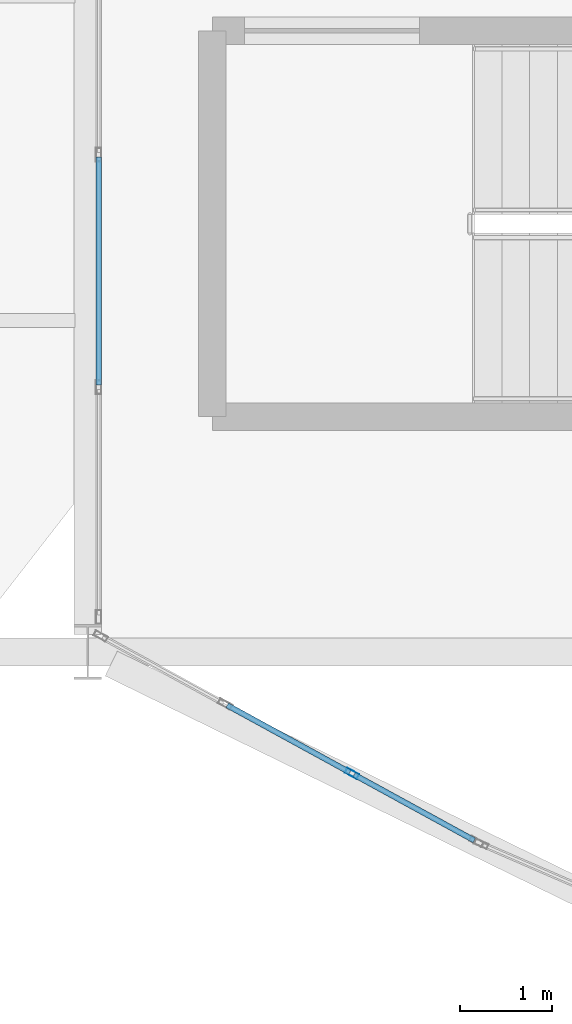
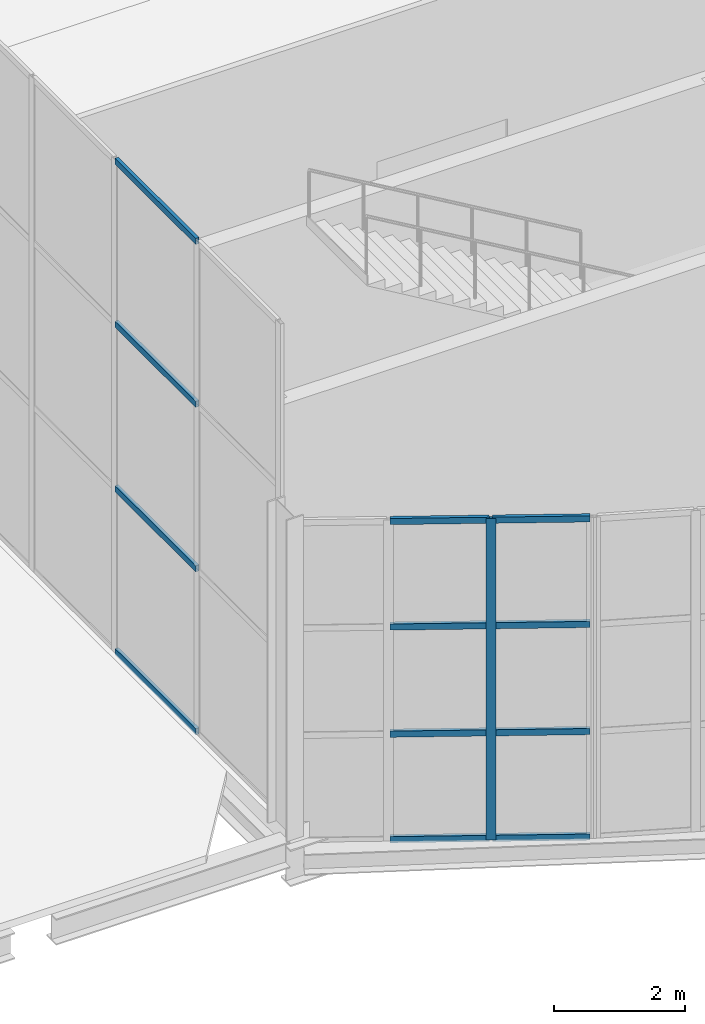
# One storey, part 25 of 191: 13 members, 2 elements without a shape of their own.
"""IFC4 building model written with IfcOpenShell, lengths in metres."""

from ifc_helpers import new_model, si_unit, direction, frame, origin, origin_2d, place, context, subcontext, project, spatial, hollow_rectangle, extrude, material, layer, layer_set, material_profile, profile_set, type_object, element, aggregate, save


model = new_model("IFC4")

# Units and contexts
model_context = context("Model", 3, precision=1e-05, world=origin(), true_north=direction((0.0, 1.0)))
body_context = subcontext(model_context, "Body", "Model", "MODEL_VIEW")
ifc_project = project(units=[si_unit("LENGTHUNIT", "METRE"), si_unit("AREAUNIT", "SQUARE_METRE"), si_unit("VOLUMEUNIT", "CUBIC_METRE"), si_unit("PLANEANGLEUNIT", "RADIAN"), si_unit("MASSUNIT", "GRAM", prefix="KILO")], contexts=[model_context])

# Site, building, storey
site_placement = place(None, origin())
site = spatial("IfcSite", under=ifc_project, at=site_placement, CompositionType="ELEMENT")
building_placement = place(site_placement, origin())
building = spatial("IfcBuilding", under=site, at=building_placement, Name="Tamarisk Ironworks Central Station", CompositionType="ELEMENT")
storey_placement = place(building_placement, frame((0.0, 0.0, 6.60009765625)))
storey = spatial("IfcBuildingStorey", under=building, at=storey_placement, Name="L01", CompositionType="ELEMENT", Elevation=6.60009765625)

# Curtain wall, members
ifc_material = material(Name="Anodized aluminium alloy 6063-T6", Category="aluminium")
ifc_layer_1 = layer(ifc_material, 0.179931640625)
ifc_layer_set_1 = layer_set([ifc_layer_1], Name="Anodized aluminium alloy 6063-T6")
curtain_wall_type_1 = type_object("IfcCurtainWallType", Name="CW-02", PredefinedType="USERDEFINED", material=ifc_layer_set_1)
curtain_wall_1_placement = place(storey_placement, origin())
curtain_wall_1 = element("IfcCurtainWall", 1, at=curtain_wall_1_placement, inside=storey, type_object=curtain_wall_type_1, Name="SN rounded entrance hall L01 curtain wall bay 01", ObjectType="GLAZED CURTAIN WALL", PredefinedType="USERDEFINED")
ifc_material_profile_1 = material_profile(ifc_material, hollow_rectangle(XDim=0.06005859375, YDim=0.14990234375, WallThickness=0.00341796875, at=origin_2d()), Name="ALUM 150x60")
ifc_profile_set_1 = profile_set([ifc_material_profile_1], Name="Anodized aluminium alloy 6063-T6")
member_type_1 = type_object("IfcMemberType", Name="CWM-03", PredefinedType="MULLION", material=ifc_profile_set_1)
member_1_placement = place(storey_placement, frame((56.870361328125, 9.480712890625, -0.385009765625), z_axis=(0.0, 0.0, 1.0), x_axis=(0.47980544644, 0.877374910495, 0.0)))
member_1 = element("IfcMember", 2, at=member_1_placement, type_object=member_type_1, Name="CW02 mullion 3", PredefinedType="MULLION", context=body_context, shape_type="SweptSolid", body=[
    extrude(hollow_rectangle(XDim=0.06005859375, YDim=0.14990234375, WallThickness=0.00341796875, at=origin_2d()), origin(), (0.0, 0.0, 1.0), 6.0048828125),
])
ifc_material_profile_2 = material_profile(ifc_material, hollow_rectangle(XDim=0.06005859375, YDim=0.114990234375, WallThickness=0.00341796875, at=origin_2d()), Name="ALUM 115x60")
ifc_profile_set_2 = profile_set([ifc_material_profile_2], Name="Anodized aluminium alloy 6063-T6")
member_type_2 = type_object("IfcMemberType", Name="CWT-03", PredefinedType="USERDEFINED", material=ifc_profile_set_2)
member_2_placement = place(storey_placement, frame((55.515869140625, 10.221435546875, -0.35498046875), z_axis=(0.877384892702, -0.479787192471, 0.0), x_axis=(0.479787192471, 0.877384892702, 0.0)))
member_2 = element("IfcMember", 3, at=member_2_placement, type_object=member_type_2, Name="CW02 transom 2.1", ObjectType="TRANSOM", PredefinedType="USERDEFINED", context=body_context, shape_type="SweptSolid", body=[
    extrude(hollow_rectangle(XDim=0.06005859375, YDim=0.114990234375, WallThickness=0.00341796875, at=origin_2d()), origin(), (0.0, 0.0, 1.0), 1.517822265625),
])
member_3_placement = place(storey_placement, frame((55.515869140625, 10.221435546875, 1.61669921875), z_axis=(0.877384892702, -0.479787192471, 0.0), x_axis=(0.479787192471, 0.877384892702, 0.0)))
member_3 = element("IfcMember", 4, at=member_3_placement, type_object=member_type_2, Name="CW02 transom 2.2", ObjectType="TRANSOM", PredefinedType="USERDEFINED", context=body_context, shape_type="SweptSolid", body=[
    extrude(hollow_rectangle(XDim=0.06005859375, YDim=0.114990234375, WallThickness=0.00341796875, at=origin_2d()), origin(), (0.0, 0.0, 1.0), 1.517822265625),
])
member_4_placement = place(storey_placement, frame((55.515869140625, 10.221435546875, 3.6181640625), z_axis=(0.877384892702, -0.479787192471, 0.0), x_axis=(0.479787192471, 0.877384892702, 0.0)))
member_4 = element("IfcMember", 5, at=member_4_placement, type_object=member_type_2, Name="CW02 transom 2.3", ObjectType="TRANSOM", PredefinedType="USERDEFINED", context=body_context, shape_type="SweptSolid", body=[
    extrude(hollow_rectangle(XDim=0.06005859375, YDim=0.114990234375, WallThickness=0.00341796875, at=origin_2d()), origin(), (0.0, 0.0, 1.0), 1.517822265625),
])
member_5_placement = place(storey_placement, frame((55.515869140625, 10.221435546875, 5.58984375), z_axis=(0.877384892702, -0.479787192471, 0.0), x_axis=(0.479787192471, 0.877384892702, 0.0)))
member_5 = element("IfcMember", 6, at=member_5_placement, type_object=member_type_2, Name="CW02 transom 2.4", ObjectType="TRANSOM", PredefinedType="USERDEFINED", context=body_context, shape_type="SweptSolid", body=[
    extrude(hollow_rectangle(XDim=0.06005859375, YDim=0.114990234375, WallThickness=0.00341796875, at=origin_2d()), origin(), (0.0, 0.0, 1.0), 1.517822265625),
])
member_6_placement = place(storey_placement, frame((56.893310546875, 9.46826171875, -0.35498046875), z_axis=(0.877311774567, -0.479920879111, 0.0), x_axis=(0.479920879111, 0.877311774567, 0.0)))
member_6 = element("IfcMember", 7, at=member_6_placement, type_object=member_type_2, Name="CW02 transom 3.1", ObjectType="TRANSOM", PredefinedType="USERDEFINED", context=body_context, shape_type="SweptSolid", body=[
    extrude(hollow_rectangle(XDim=0.06005859375, YDim=0.114990234375, WallThickness=0.00341796875, at=origin_2d()), origin(), (0.0, 0.0, 1.0), 1.488037109375),
])
member_7_placement = place(storey_placement, frame((56.893310546875, 9.46826171875, 1.61669921875), z_axis=(0.877311774567, -0.479920879111, 0.0), x_axis=(0.479920879111, 0.877311774567, 0.0)))
member_7 = element("IfcMember", 8, at=member_7_placement, type_object=member_type_2, Name="CW02 transom 3.2", ObjectType="TRANSOM", PredefinedType="USERDEFINED", context=body_context, shape_type="SweptSolid", body=[
    extrude(hollow_rectangle(XDim=0.06005859375, YDim=0.114990234375, WallThickness=0.00341796875, at=origin_2d()), origin(), (0.0, 0.0, 1.0), 1.488037109375),
])
member_8_placement = place(storey_placement, frame((56.893310546875, 9.46826171875, 3.6181640625), z_axis=(0.877311774567, -0.479920879111, 0.0), x_axis=(0.479920879111, 0.877311774567, 0.0)))
member_8 = element("IfcMember", 9, at=member_8_placement, type_object=member_type_2, Name="CW02 transom 3.3", ObjectType="TRANSOM", PredefinedType="USERDEFINED", context=body_context, shape_type="SweptSolid", body=[
    extrude(hollow_rectangle(XDim=0.06005859375, YDim=0.114990234375, WallThickness=0.00341796875, at=origin_2d()), origin(), (0.0, 0.0, 1.0), 1.488037109375),
])
member_9_placement = place(storey_placement, frame((56.893310546875, 9.46826171875, 5.58984375), z_axis=(0.877311774567, -0.479920879111, 0.0), x_axis=(0.479920879111, 0.877311774567, 0.0)))
member_9 = element("IfcMember", 10, at=member_9_placement, type_object=member_type_2, Name="CW02 transom 3.4", ObjectType="TRANSOM", PredefinedType="USERDEFINED", context=body_context, shape_type="SweptSolid", body=[
    extrude(hollow_rectangle(XDim=0.06005859375, YDim=0.114990234375, WallThickness=0.00341796875, at=origin_2d()), origin(), (0.0, 0.0, 1.0), 1.488037109375),
])
aggregate(curtain_wall_1, [member_1, member_2, member_3, member_4, member_5, member_6, member_7, member_8, member_9])

ifc_layer_2 = layer(ifc_material, 0.179931640625)
ifc_layer_set_2 = layer_set([ifc_layer_2], Name="Anodized aluminium alloy 6063-T6")
curtain_wall_type_2 = type_object("IfcCurtainWallType", Name="CW-05", PredefinedType="USERDEFINED", material=ifc_layer_set_2)
curtain_wall_2_placement = place(storey_placement, origin())
curtain_wall_2 = element("IfcCurtainWall", 11, at=curtain_wall_2_placement, inside=storey, type_object=curtain_wall_type_2, Name="Concourse W track-overlook curtain wall 01", ObjectType="GLAZED CURTAIN WALL", PredefinedType="USERDEFINED")
member_10_placement = place(storey_placement, frame((54.1201171875, 13.700927734375, 0.02978515625), z_axis=(0.0, 1.0, 0.0), x_axis=(-1.0, 0.0, 0.0)))
member_10 = element("IfcMember", 12, at=member_10_placement, type_object=member_type_2, Name="CW05 transom 2.1", ObjectType="TRANSOM", PredefinedType="USERDEFINED", context=body_context, shape_type="SweptSolid", body=[
    extrude(hollow_rectangle(XDim=0.06005859375, YDim=0.114990234375, WallThickness=0.00341796875, at=origin_2d()), origin(), (0.0, 0.0, 1.0), 2.47314453125),
])
member_11_placement = place(storey_placement, frame((54.1201171875, 13.700927734375, 3.0732421875), z_axis=(0.0, 1.0, 0.0), x_axis=(-1.0, 0.0, 0.0)))
member_11 = element("IfcMember", 13, at=member_11_placement, type_object=member_type_2, Name="CW05 transom 2.2", ObjectType="TRANSOM", PredefinedType="USERDEFINED", context=body_context, shape_type="SweptSolid", body=[
    extrude(hollow_rectangle(XDim=0.06005859375, YDim=0.114990234375, WallThickness=0.00341796875, at=origin_2d()), origin(), (0.0, 0.0, 1.0), 2.47314453125),
])
member_12_placement = place(storey_placement, frame((54.1201171875, 13.700927734375, 6.146484375), z_axis=(0.0, 1.0, 0.0), x_axis=(-1.0, 0.0, 0.0)))
member_12 = element("IfcMember", 14, at=member_12_placement, type_object=member_type_2, Name="CW05 transom 2.3", ObjectType="TRANSOM", PredefinedType="USERDEFINED", context=body_context, shape_type="SweptSolid", body=[
    extrude(hollow_rectangle(XDim=0.06005859375, YDim=0.114990234375, WallThickness=0.00341796875, at=origin_2d()), origin(), (0.0, 0.0, 1.0), 2.47314453125),
])
member_13_placement = place(storey_placement, frame((54.1201171875, 13.700927734375, 9.18994140625), z_axis=(0.0, 1.0, 0.0), x_axis=(-1.0, 0.0, 0.0)))
member_13 = element("IfcMember", 15, at=member_13_placement, type_object=member_type_2, Name="CW05 transom 2.4", ObjectType="TRANSOM", PredefinedType="USERDEFINED", context=body_context, shape_type="SweptSolid", body=[
    extrude(hollow_rectangle(XDim=0.06005859375, YDim=0.114990234375, WallThickness=0.00341796875, at=origin_2d()), origin(), (0.0, 0.0, 1.0), 2.47314453125),
])
aggregate(curtain_wall_2, [member_10, member_11, member_12, member_13])

save(model, "model.ifc")
